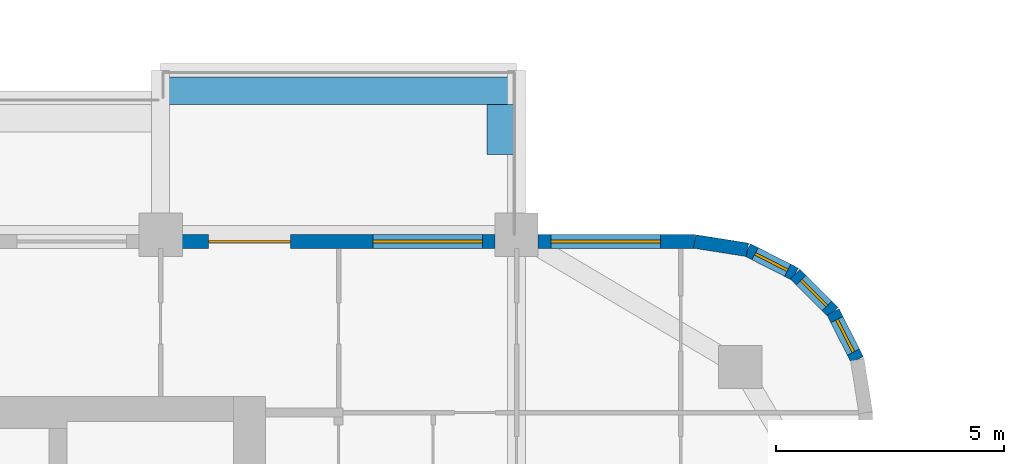
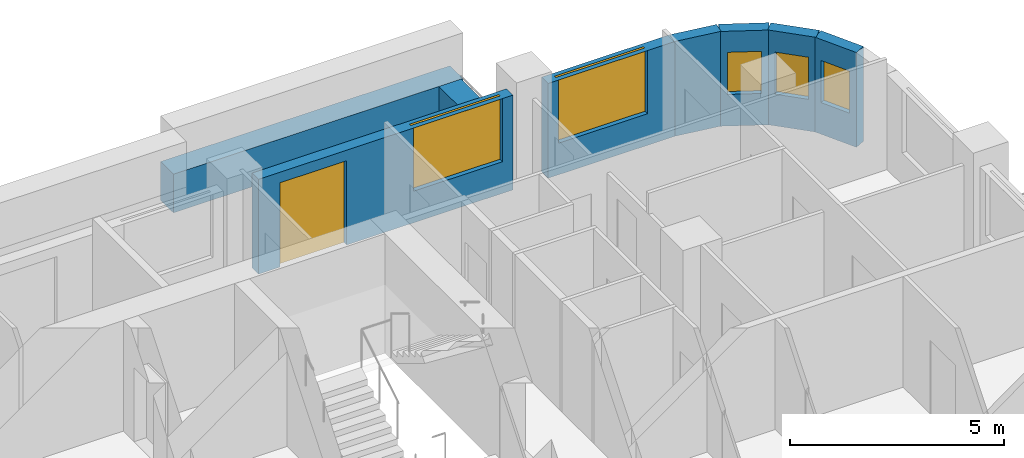
# One storey, part 14 of 19: 8 walls, 5 windows, 1 door, 6 openings.
"""IFC4 building model written with IfcOpenShell, lengths in metres."""

from ifc_helpers import new_model, si_unit, direction, frame, frame_2d, origin, place, context, subcontext, project, spatial, rectangle, extrude, material, layer, layer_set, type_object, element, fill, save


model = new_model("IFC4")

# Units and contexts
model_context = context("Model", 3, precision=1e-05, world=origin(), true_north=direction((0.0, 1.0)))
body_context = subcontext(model_context, "Body", "Model", "MODEL_VIEW")
ifc_project = project(units=[si_unit("LENGTHUNIT", "METRE"), si_unit("AREAUNIT", "SQUARE_METRE"), si_unit("VOLUMEUNIT", "CUBIC_METRE"), si_unit("PLANEANGLEUNIT", "RADIAN"), si_unit("MASSUNIT", "GRAM", prefix="KILO")], contexts=[model_context])

# Site, building, storey
site_placement = place(None, origin())
site = spatial("IfcSite", under=ifc_project, at=site_placement, CompositionType="ELEMENT")
building_placement = place(site_placement, origin())
building = spatial("IfcBuilding", under=site, at=building_placement, Name="Ludao Terraces", CompositionType="ELEMENT")
storey_placement = place(building_placement, frame((0.0, 0.0, 81.800048828125)))
storey = spatial("IfcBuildingStorey", under=building, at=storey_placement, Name="L22", CompositionType="ELEMENT", Elevation=81.800048828125)

# Walls
ifc_material_1 = material(Name="Concrete C40", Category="concrete")
ifc_layer_1 = layer(ifc_material_1, 0.60009765625)
ifc_layer_set_1 = layer_set([ifc_layer_1], Name="ENV Planter trough 600")
wall_type_1 = type_object("IfcWallType", Name="ENV Planter trough 600", PredefinedType="USERDEFINED", material=ifc_layer_set_1)
wall_1_placement = place(storey_placement, frame((92.800048828125, 91.550048828125, 0.0), z_axis=(0.0, 0.0, 1.0), x_axis=(1.0, 0.0, 0.0)))
element("IfcWall", 1, at=wall_1_placement, inside=storey, type_object=wall_type_1, Name="PL-L22-N4", ObjectType="PLANTER", PredefinedType="USERDEFINED", context=body_context, shape_type="SweptSolid", body=[
    extrude(rectangle(XDim=7.800048828125, YDim=0.60009765625, at=frame_2d((3.89990234375, 0.0))), origin(), (0.0, 0.0, 1.0), 1.099853515625),
])
wall_2_placement = place(storey_placement, frame((100.25, 91.25, 0.0), z_axis=(0.0, 0.0, 1.0), x_axis=(0.0, -1.0, 0.0)))
element("IfcWall", 2, at=wall_2_placement, inside=storey, type_object=wall_type_1, Name="PL-L22-N4-SB", ObjectType="PLANTER", PredefinedType="USERDEFINED", context=body_context, shape_type="SweptSolid", body=[
    extrude(rectangle(XDim=1.10009765625, YDim=0.60009765625, at=frame_2d((0.550048828125, 0.0))), origin(), (0.0, 0.0, 1.0), 1.099853515625),
])

# Wall, openings, door, window
ifc_material_2 = material(Name="Granite cladding", Category="masonry")
ifc_layer_2 = layer(ifc_material_2, 0.0400390625, Category="stone")
ifc_material_3 = material(Name="Mineral wool")
ifc_layer_3 = layer(ifc_material_3, 0.06005859375)
ifc_layer_4 = layer(ifc_material_1, 0.199951171875, Category="concrete")
ifc_layer_set_2 = layer_set([ifc_layer_2, ifc_layer_3, ifc_layer_4], Name="ENV Stone-clad wall 300")
wall_type_2 = type_object("IfcWallType", Name="ENV Stone-clad wall 300", PredefinedType="SOLIDWALL", material=ifc_layer_set_2)
wall_3_placement = place(storey_placement, frame((93.27490234375, 88.25, 0.0), z_axis=(0.0, 0.0, 1.0), x_axis=(1.0, 0.0, 0.0)))
wall_3 = element("IfcWall", 3, at=wall_3_placement, inside=storey, type_object=wall_type_2, Name="EW-L22-N5", PredefinedType="SOLIDWALL", context=body_context, shape_type="SweptSolid", body=[
    extrude(rectangle(XDim=6.85009765625, YDim=0.300048828125, at=frame_2d((3.425048828125, 0.0))), origin(), (0.0, 0.0, 1.0), 2.699951171875),
])
opening_1_placement = place(wall_3_placement, frame((0.574951171875, 0.0, 0.0)))
opening_1 = element("IfcOpeningElement", 4, at=opening_1_placement, cuts=wall_3, Name="Opening BD", PredefinedType="OPENING", context=body_context, shape_type="SweptSolid", body=[
    extrude(rectangle(XDim=1.800048828125, YDim=2.39990234375, at=frame_2d((0.89990234375, 1.199951171875))), frame((0.0, 0.16015625, 0.0), z_axis=(0.0, -1.0, 0.0), x_axis=(1.0, 0.0, 0.0)), (0.0, 0.0, 1.0), 0.320068359375),
])
opening_2_placement = place(wall_3_placement, frame((4.175048828125, 0.0, 0.89990234375)))
opening_2 = element("IfcOpeningElement", 5, at=opening_2_placement, cuts=wall_3, Name="Opening W1", PredefinedType="OPENING", context=body_context, shape_type="SweptSolid", body=[
    extrude(rectangle(XDim=2.39990234375, YDim=1.800048828125, at=frame_2d((1.199951171875, 0.89990234375))), frame((0.0, 0.16015625, 0.0), z_axis=(0.0, -1.0, 0.0), x_axis=(1.0, 0.0, 0.0)), (0.0, 0.0, 1.0), 0.320068359375),
])
ifc_material_4 = material(Name="Aluminium glazed door", Category="aluminium")
ifc_layer_5 = layer(ifc_material_4, 0.06005859375)
ifc_layer_set_3 = layer_set([ifc_layer_5], Name="ENV Balcony door BD 1800x2400")
door_type = type_object("IfcDoorType", Name="ENV Balcony door BD 1800x2400", OperationType="DOUBLE_DOOR_SINGLE_SWING", PredefinedType="DOOR", material=ifc_layer_set_3)
door_placement = place(opening_1_placement, origin())
door = element("IfcDoor", 6, at=door_placement, inside=storey, type_object=door_type, Name="BD-L22-N5-1", OperationType="DOUBLE_DOOR_SINGLE_SWING", OverallHeight=2.39990234375, OverallWidth=1.800048828125, PredefinedType="DOOR", context=body_context, shape_type="SweptSolid", body=[
    extrude(rectangle(XDim=1.800048828125, YDim=2.39990234375, at=frame_2d((0.89990234375, 1.199951171875))), frame((0.0, 0.02490234375, 0.0), z_axis=(0.0, -1.0, 0.0), x_axis=(1.0, 0.0, 0.0)), (0.0, 0.0, 1.0), 0.050048828125),
])
fill(opening_1, door)
ifc_material_5 = material(Name="Clear glass in aluminium frame", Category="aluminium")
ifc_layer_6 = layer(ifc_material_5, 0.06005859375)
ifc_layer_set_4 = layer_set([ifc_layer_6], Name="ENV Window W1 2400x1800")
window_type_1 = type_object("IfcWindowType", Name="ENV Window W1 2400x1800", PartitioningType="DOUBLE_PANEL_VERTICAL", PredefinedType="WINDOW", material=ifc_layer_set_4)
window_1_placement = place(opening_2_placement, origin())
window_1 = element("IfcWindow", 7, at=window_1_placement, inside=storey, type_object=window_type_1, Name="W-L22-N5-2", OverallHeight=1.800048828125, OverallWidth=2.39990234375, PartitioningType="DOUBLE_PANEL_VERTICAL", PredefinedType="WINDOW", context=body_context, shape_type="SweptSolid", body=[
    extrude(rectangle(XDim=2.39990234375, YDim=1.800048828125, at=frame_2d((1.199951171875, 0.89990234375))), frame((0.0, 0.030029296875, 0.0), z_axis=(0.0, -1.0, 0.0), x_axis=(1.0, 0.0, 0.0)), (0.0, 0.0, 1.0), 0.06005859375),
])
fill(opening_2, window_1)

# Wall, opening, window
wall_4_placement = place(storey_placement, frame((101.074951171875, 88.25, 0.0), z_axis=(0.0, 0.0, 1.0), x_axis=(1.0, 0.0, 0.0)))
wall_4 = element("IfcWall", 8, at=wall_4_placement, inside=storey, type_object=wall_type_2, Name="EW-L22-N6", PredefinedType="SOLIDWALL", context=body_context, shape_type="SweptSolid", body=[
    extrude(rectangle(XDim=3.425048828125, YDim=0.300048828125, at=frame_2d((1.71240234375, 0.0))), origin(), (0.0, 0.0, 1.0), 2.699951171875),
])
opening_3_placement = place(wall_4_placement, frame((0.27490234375, 0.0, 0.89990234375)))
opening_3 = element("IfcOpeningElement", 9, at=opening_3_placement, cuts=wall_4, Name="Opening W1", PredefinedType="OPENING", context=body_context, shape_type="SweptSolid", body=[
    extrude(rectangle(XDim=2.39990234375, YDim=1.800048828125, at=frame_2d((1.199951171875, 0.89990234375))), frame((0.0, 0.16015625, 0.0), z_axis=(0.0, -1.0, 0.0), x_axis=(1.0, 0.0, 0.0)), (0.0, 0.0, 1.0), 0.320068359375),
])
window_2_placement = place(opening_3_placement, origin())
window_2 = element("IfcWindow", 10, at=window_2_placement, inside=storey, type_object=window_type_1, Name="W-L22-N6-1", OverallHeight=1.800048828125, OverallWidth=2.39990234375, PartitioningType="DOUBLE_PANEL_VERTICAL", PredefinedType="WINDOW", context=body_context, shape_type="SweptSolid", body=[
    extrude(rectangle(XDim=2.39990234375, YDim=1.800048828125, at=frame_2d((1.199951171875, 0.89990234375))), frame((0.0, 0.030029296875, 0.0), z_axis=(0.0, -1.0, 0.0), x_axis=(1.0, 0.0, 0.0)), (0.0, 0.0, 1.0), 0.06005859375),
])
fill(opening_3, window_2)

wall_5_placement = place(storey_placement, frame((108.06640625, 85.65869140625, 0.0), z_axis=(0.0, 0.0, 1.0), x_axis=(-0.454025524128, 0.890988677504, 0.0)))
wall_5 = element("IfcWall", 11, at=wall_5_placement, inside=storey, type_object=wall_type_2, Name="EW-L22-NE2", PredefinedType="SOLIDWALL", context=body_context, shape_type="SweptSolid", body=[
    extrude(rectangle(XDim=1.17333984375, YDim=0.300048828125, at=frame_2d((0.586669921875, 0.0))), origin(), (0.0, 0.0, 1.0), 2.699951171875),
])
opening_4_placement = place(wall_5_placement, frame((0.1865234375, 0.0, 0.89990234375)))
opening_4 = element("IfcOpeningElement", 12, at=opening_4_placement, cuts=wall_5, Name="Opening W3", PredefinedType="OPENING", context=body_context, shape_type="SweptSolid", body=[
    extrude(rectangle(XDim=0.800048828125, YDim=1.199951171875, at=frame_2d((0.39990234375, 0.60009765625))), frame((0.0, 0.16015625, 0.0), z_axis=(0.0, -1.0, 0.0), x_axis=(1.0, 0.0, 0.0)), (0.0, 0.0, 1.0), 0.320068359375),
])
ifc_layer_7 = layer(ifc_material_5, 0.06005859375)
ifc_layer_set_5 = layer_set([ifc_layer_7], Name="ENV Window W3 800x1200")
window_type_2 = type_object("IfcWindowType", Name="ENV Window W3 800x1200", PartitioningType="SINGLE_PANEL", PredefinedType="WINDOW", material=ifc_layer_set_5)
window_3_placement = place(opening_4_placement, origin())
window_3 = element("IfcWindow", 13, at=window_3_placement, inside=storey, type_object=window_type_2, Name="W-L22-NE2", OverallHeight=1.199951171875, OverallWidth=0.800048828125, PartitioningType="SINGLE_PANEL", PredefinedType="WINDOW", context=body_context, shape_type="SweptSolid", body=[
    extrude(rectangle(XDim=0.800048828125, YDim=1.199951171875, at=frame_2d((0.39990234375, 0.60009765625))), frame((0.0, 0.030029296875, 0.0), z_axis=(0.0, -1.0, 0.0), x_axis=(1.0, 0.0, 0.0)), (0.0, 0.0, 1.0), 0.06005859375),
])
fill(opening_4, window_3)

wall_6_placement = place(storey_placement, frame((107.53369140625, 86.7041015625, 0.0), z_axis=(0.0, 0.0, 1.0), x_axis=(-0.707106781187, 0.707106781187, 0.0)))
wall_6 = element("IfcWall", 14, at=wall_6_placement, inside=storey, type_object=wall_type_2, Name="EW-L22-NE3", PredefinedType="SOLIDWALL", context=body_context, shape_type="SweptSolid", body=[
    extrude(rectangle(XDim=1.173095703125, YDim=0.300048828125, at=frame_2d((0.58642578125, 0.0))), origin(), (0.0, 0.0, 1.0), 2.699951171875),
])
opening_5_placement = place(wall_6_placement, frame((0.1865234375, 0.0, 0.89990234375)))
opening_5 = element("IfcOpeningElement", 15, at=opening_5_placement, cuts=wall_6, Name="Opening W3", PredefinedType="OPENING", context=body_context, shape_type="SweptSolid", body=[
    extrude(rectangle(XDim=0.800048828125, YDim=1.199951171875, at=frame_2d((0.39990234375, 0.60009765625))), frame((0.0, 0.16015625, 0.0), z_axis=(0.0, -1.0, 0.0), x_axis=(1.0, 0.0, 0.0)), (0.0, 0.0, 1.0), 0.320068359375),
])
window_4_placement = place(opening_5_placement, origin())
window_4 = element("IfcWindow", 16, at=window_4_placement, inside=storey, type_object=window_type_2, Name="W-L22-NE3", OverallHeight=1.199951171875, OverallWidth=0.800048828125, PartitioningType="SINGLE_PANEL", PredefinedType="WINDOW", context=body_context, shape_type="SweptSolid", body=[
    extrude(rectangle(XDim=0.800048828125, YDim=1.199951171875, at=frame_2d((0.39990234375, 0.60009765625))), frame((0.0, 0.030029296875, 0.0), z_axis=(0.0, -1.0, 0.0), x_axis=(1.0, 0.0, 0.0)), (0.0, 0.0, 1.0), 0.06005859375),
])
fill(opening_5, window_4)

wall_7_placement = place(storey_placement, frame((106.7041015625, 87.53369140625, 0.0), z_axis=(0.0, 0.0, 1.0), x_axis=(-0.890988677504, 0.454025524128, 0.0)))
wall_7 = element("IfcWall", 17, at=wall_7_placement, inside=storey, type_object=wall_type_2, Name="EW-L22-NE4", PredefinedType="SOLIDWALL", context=body_context, shape_type="SweptSolid", body=[
    extrude(rectangle(XDim=1.17333984375, YDim=0.300048828125, at=frame_2d((0.586669921875, 0.0))), origin(), (0.0, 0.0, 1.0), 2.699951171875),
])
opening_6_placement = place(wall_7_placement, frame((0.1865234375, 0.0, 0.89990234375)))
opening_6 = element("IfcOpeningElement", 18, at=opening_6_placement, cuts=wall_7, Name="Opening W3", PredefinedType="OPENING", context=body_context, shape_type="SweptSolid", body=[
    extrude(rectangle(XDim=0.800048828125, YDim=1.199951171875, at=frame_2d((0.39990234375, 0.60009765625))), frame((0.0, 0.16015625, 0.0), z_axis=(0.0, -1.0, 0.0), x_axis=(1.0, 0.0, 0.0)), (0.0, 0.0, 1.0), 0.320068359375),
])
window_5_placement = place(opening_6_placement, origin())
window_5 = element("IfcWindow", 19, at=window_5_placement, inside=storey, type_object=window_type_2, Name="W-L22-NE4", OverallHeight=1.199951171875, OverallWidth=0.800048828125, PartitioningType="SINGLE_PANEL", PredefinedType="WINDOW", context=body_context, shape_type="SweptSolid", body=[
    extrude(rectangle(XDim=0.800048828125, YDim=1.199951171875, at=frame_2d((0.39990234375, 0.60009765625))), frame((0.0, 0.030029296875, 0.0), z_axis=(0.0, -1.0, 0.0), x_axis=(1.0, 0.0, 0.0)), (0.0, 0.0, 1.0), 0.06005859375),
])
fill(opening_6, window_5)

# Wall
wall_8_placement = place(storey_placement, frame((105.65869140625, 88.06640625, 0.0), z_axis=(0.0, 0.0, 1.0), x_axis=(-0.987678452879, 0.156496880861, 0.0)))
element("IfcWall", 20, at=wall_8_placement, inside=storey, type_object=wall_type_2, Name="EW-L22-NE5", PredefinedType="SOLIDWALL", context=body_context, shape_type="SweptSolid", body=[
    extrude(rectangle(XDim=1.173095703125, YDim=0.300048828125, at=frame_2d((0.58642578125, 0.0))), origin(), (0.0, 0.0, 1.0), 2.699951171875),
])

save(model, "model.ifc")
